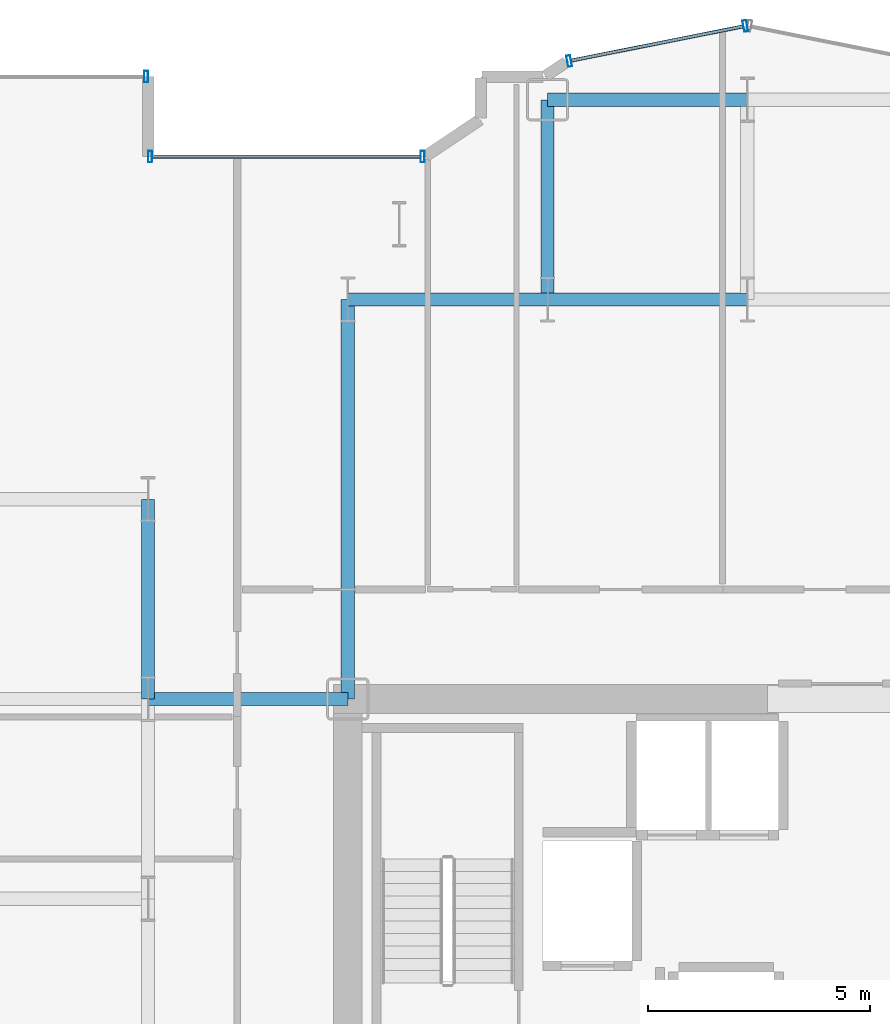
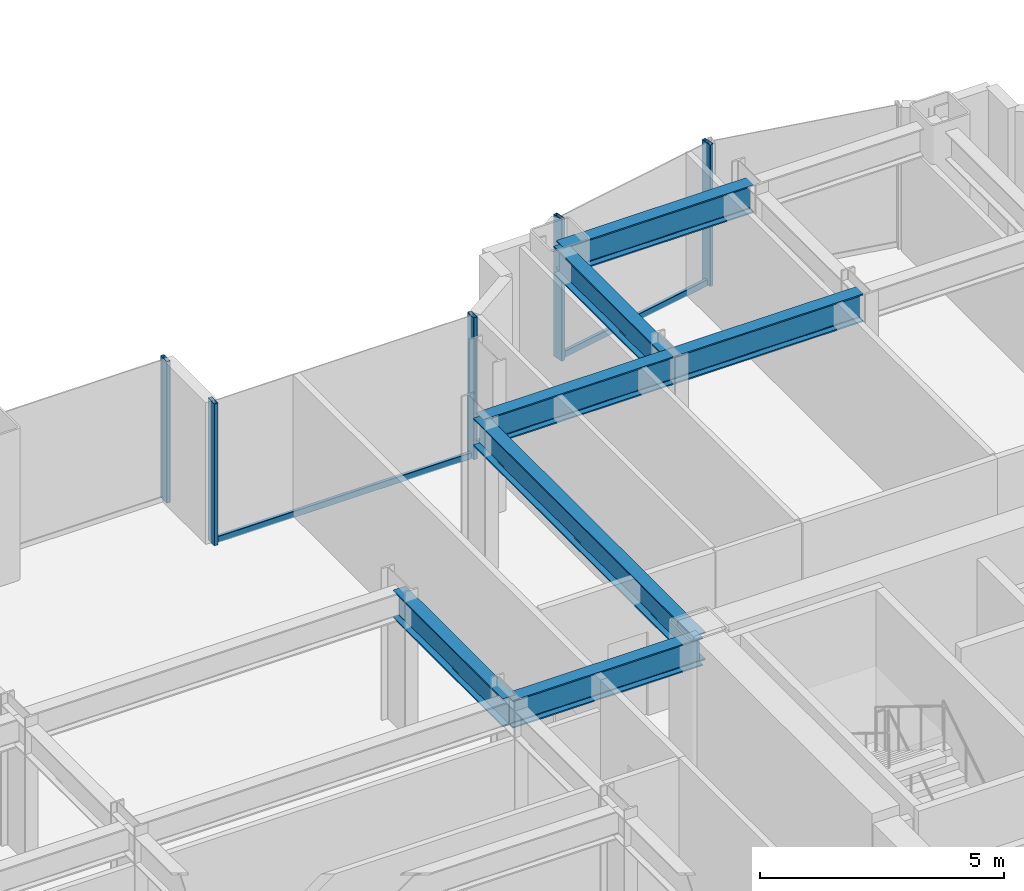
# One storey, part 10 of 25: 7 beams, 7 members, 3 elements without a shape of their own.
"""IFC4 building model written with IfcOpenShell, lengths in metres."""

from ifc_helpers import new_model, si_unit, direction, frame, origin, origin_2d, place, context, subcontext, project, spatial, hollow_rectangle, i_section, extrude, source, transform, mapped, material, layer, layer_set, material_profile, profile_set, type_object, element, aggregate, save


model = new_model("IFC4")

# Units and contexts
model_context = context("Model", 3, precision=1e-05, world=origin(), true_north=direction((0.0, 1.0)))
body_context = subcontext(model_context, "Body", "Model", "MODEL_VIEW")
ifc_project = project(units=[si_unit("LENGTHUNIT", "METRE"), si_unit("AREAUNIT", "SQUARE_METRE"), si_unit("VOLUMEUNIT", "CUBIC_METRE"), si_unit("PLANEANGLEUNIT", "RADIAN"), si_unit("MASSUNIT", "GRAM", prefix="KILO")], contexts=[model_context])

# Site, building, storey
site_placement = place(None, origin())
site = spatial("IfcSite", under=ifc_project, at=site_placement, CompositionType="ELEMENT")
building_placement = place(site_placement, origin())
building = spatial("IfcBuilding", under=site, at=building_placement, Name="Nefas-Gora Pilgrimage Tower", CompositionType="ELEMENT")
storey_placement = place(building_placement, frame((0.0, 0.0, 74.800048828125)))
storey = spatial("IfcBuildingStorey", under=building, at=storey_placement, Name="L17", CompositionType="ELEMENT", Elevation=74.800048828125)

# Beams
ifc_material_1 = material(Name="Steel S355", Category="steel")
ifc_material_profile_1 = material_profile(ifc_material_1, i_section(OverallWidth=0.300048828125, OverallDepth=0.699951171875, WebThickness=0.01708984375, FlangeThickness=0.031982421875, FilletRadius=0.027099609375, at=origin_2d()), Name="HEB 700")
ifc_profile_set_1 = profile_set([ifc_material_profile_1], Name="Steel S355")
beam_type = type_object("IfcBeamType", Name="BM-GIR-HEB700", PredefinedType="BEAM", material=ifc_profile_set_1)
shared_shape_1 = source(origin(), body_context, "Body", "SweptSolid", [
    extrude(i_section(OverallWidth=0.300048828125, OverallDepth=0.699951171875, WebThickness=0.01708984375, FlangeThickness=0.031982421875, FilletRadius=0.027099609375, at=origin_2d()), origin(), (0.0, 0.0, 1.0), 9.0),
])
beam_placement = place(storey_placement, frame((-11.25, 9.0, 3.199951171875), z_axis=(0.0, 1.0, 0.0), x_axis=(-1.0, 0.0, 0.0)))
element("IfcBeam", 1, at=beam_placement, inside=storey, type_object=beam_type, Name="L17 G-02 beam", PredefinedType="BEAM", context=body_context, shape_type="MappedRepresentation", body=[
    mapped(shared_shape_1, transform((0.0, 0.0, 0.0), x_axis=(1.0, 0.0, 0.0), y_axis=(0.0, 1.0, 0.0), z_axis=(0.0, 0.0, 1.0), scale=1.0)),
])
shared_shape_2 = source(origin(), body_context, "Body", "SweptSolid", [
    extrude(i_section(OverallWidth=0.300048828125, OverallDepth=0.699951171875, WebThickness=0.01708984375, FlangeThickness=0.031982421875, FilletRadius=0.027099609375, at=origin_2d()), origin(), (0.0, 0.0, 1.0), 4.5),
])
for number, where, z_axis, x_axis, name in (
    (2, (-15.75, 9.0, 3.199951171875), (0.0, 1.0, 0.0), (-1.0, 0.0, 0.0), "L17 G-02 beam"),
    (3, (-15.75, 9.0, 3.199951171875), (1.0, 0.0, 0.0), (0.0, 1.0, 0.0), "L17 G-02 beam"),
    (4, (-11.25, 18.0, 3.199951171875), (1.0, 0.0, 0.0), (0.0, 1.0, 0.0), "L17 G-02 beam"),
    (5, (-6.75, 18.0, 3.199951171875), (0.0, 1.0, 0.0), (-1.0, 0.0, 0.0), "L17 G-02 beam"),
    (6, (-6.75, 18.0, 3.199951171875), (1.0, 0.0, 0.0), (0.0, 1.0, 0.0), "L17 G-02 beam"),
    (7, (-6.75, 22.5, 3.199951171875), (1.0, 0.0, 0.0), (0.0, 1.0, 0.0), "L17 G-02 beam"),
):
    element("IfcBeam", number, at=place(storey_placement, frame(where, z_axis=z_axis, x_axis=x_axis)), inside=storey, type_object=beam_type, Name=name, PredefinedType="BEAM", context=body_context, shape_type="MappedRepresentation", body=[
        mapped(shared_shape_2, transform((0.0, 0.0, 0.0), x_axis=(1.0, 0.0, 0.0), y_axis=(0.0, 1.0, 0.0), z_axis=(0.0, 0.0, 1.0), scale=1.0)),
    ])

# Curtain wall, members
ifc_material_2 = material(Name="Dark ceramic-fritted solar-control aluminium-glass curtain wall", Category="aluminium")
ifc_layer_1 = layer(ifc_material_2, 0.219970703125)
ifc_layer_set_1 = layer_set([ifc_layer_1], Name="Dark ceramic-fritted solar-control aluminium-glass curtain wall")
curtain_wall_type_1 = type_object("IfcCurtainWallType", Name="CW-SYS-5", PredefinedType="NOTDEFINED", material=ifc_layer_set_1)
curtain_wall_1_placement = place(storey_placement, origin())
curtain_wall_1 = element("IfcCurtainWall", 8, at=curtain_wall_1_placement, inside=storey, type_object=curtain_wall_type_1, Name="L17 Unitised Curtain Wall CW5", PredefinedType="NOTDEFINED")
ifc_material_3 = material(Name="Anodised architectural aluminium", Category="aluminium")
ifc_material_profile_2 = material_profile(ifc_material_3, hollow_rectangle(XDim=0.090087890625, YDim=0.260009765625, WallThickness=0.006103515625, InnerFilletRadius=0.006103515625, OuterFilletRadius=0.011962890625, at=origin_2d()), Name="ALU MULLION 90x260")
ifc_profile_set_2 = profile_set([ifc_material_profile_2], Name="Anodised architectural aluminium")
member_type_1 = type_object("IfcMemberType", Name="CWM-MUL-5", PredefinedType="MULLION", material=ifc_profile_set_2)
shared_shape_3 = source(origin(), body_context, "Body", "SweptSolid", [
    extrude(hollow_rectangle(XDim=0.090087890625, YDim=0.260009765625, WallThickness=0.006103515625, InnerFilletRadius=0.006103515625, OuterFilletRadius=0.011962890625, at=origin_2d()), origin(), (0.0, 0.0, 1.0), 3.550048828125),
])
member_1_placement = place(storey_placement, frame((-2.294189453125, 24.16357421875, 0.0), z_axis=(0.0, 0.0, 1.0), x_axis=(-0.980782896852, -0.195102304554, 0.0)))
member_1 = element("IfcMember", 9, at=member_1_placement, type_object=member_type_1, Name="CW5 Mullion 1", PredefinedType="MULLION", context=body_context, shape_type="MappedRepresentation", body=[
    mapped(shared_shape_3, transform((0.0, 0.0, 0.0), x_axis=(1.0, 0.0, 0.0), y_axis=(0.0, 1.0, 0.0), z_axis=(0.0, 0.0, 1.0), scale=1.0)),
])
member_2_placement = place(storey_placement, frame((-6.26318359375, 23.3740234375, 0.0), z_axis=(0.0, 0.0, 1.0), x_axis=(-0.980782896852, -0.195102304554, 0.0)))
member_2 = element("IfcMember", 10, at=member_2_placement, type_object=member_type_1, Name="CW5 Mullion 2", PredefinedType="MULLION", context=body_context, shape_type="MappedRepresentation", body=[
    mapped(shared_shape_3, transform((0.0, 0.0, 0.0), x_axis=(1.0, 0.0, 0.0), y_axis=(0.0, 1.0, 0.0), z_axis=(0.0, 0.0, 1.0), scale=1.0)),
])

curtain_wall_2_placement = place(storey_placement, origin())
curtain_wall_2 = element("IfcCurtainWall", 11, at=curtain_wall_2_placement, inside=storey, type_object=curtain_wall_type_1, Name="L17 Unitised Curtain Wall CW5", PredefinedType="NOTDEFINED")
member_3_placement = place(storey_placement, frame((-9.56298828125, 21.219970703125, 0.0), z_axis=(0.0, 0.0, 1.0), x_axis=(-1.0, 0.0, 0.0)))
member_3 = element("IfcMember", 12, at=member_3_placement, type_object=member_type_1, Name="CW5 Mullion 1", PredefinedType="MULLION", context=body_context, shape_type="MappedRepresentation", body=[
    mapped(shared_shape_3, transform((0.0, 0.0, 0.0), x_axis=(1.0, 0.0, 0.0), y_axis=(0.0, 1.0, 0.0), z_axis=(0.0, 0.0, 1.0), scale=1.0)),
])
member_4_placement = place(storey_placement, frame((-15.705078125, 21.219970703125, 0.0), z_axis=(0.0, 0.0, 1.0), x_axis=(-1.0, 0.0, 0.0)))
member_4 = element("IfcMember", 13, at=member_4_placement, type_object=member_type_1, Name="CW5 Mullion 2", PredefinedType="MULLION", context=body_context, shape_type="MappedRepresentation", body=[
    mapped(shared_shape_3, transform((0.0, 0.0, 0.0), x_axis=(1.0, 0.0, 0.0), y_axis=(0.0, 1.0, 0.0), z_axis=(0.0, 0.0, 1.0), scale=1.0)),
])
ifc_material_profile_3 = material_profile(ifc_material_3, hollow_rectangle(XDim=0.080078125, YDim=0.159912109375, WallThickness=0.00439453125, InnerFilletRadius=0.00439453125, OuterFilletRadius=0.009033203125, at=origin_2d()), Name="ALU TRANSOM 80x160")
ifc_profile_set_3 = profile_set([ifc_material_profile_3], Name="Anodised architectural aluminium")
member_type_2 = type_object("IfcMemberType", Name="CWM-TRN-5", PredefinedType="USERDEFINED", material=ifc_profile_set_3)
shared_shape_4 = source(origin(), body_context, "Body", "SweptSolid", [
    extrude(hollow_rectangle(XDim=0.080078125, YDim=0.159912109375, WallThickness=0.00439453125, InnerFilletRadius=0.00439453125, OuterFilletRadius=0.009033203125, at=origin_2d()), origin(), (0.0, 0.0, 1.0), 6.052001953125),
])
member_5_placement = place(storey_placement, frame((-9.60791015625, 21.219970703125, 0.050048828125), z_axis=(-1.0, 0.0, 0.0), x_axis=(0.0, -1.0, 0.0)))
member_5 = element("IfcMember", 14, at=member_5_placement, type_object=member_type_2, Name="CW5 Spandrel Transom", ObjectType="TRANSOM", PredefinedType="USERDEFINED", context=body_context, shape_type="MappedRepresentation", body=[
    mapped(shared_shape_4, transform((0.0, 0.0, 0.0), x_axis=(1.0, 0.0, 0.0), y_axis=(0.0, 1.0, 0.0), z_axis=(0.0, 0.0, 1.0), scale=1.0)),
])
aggregate(curtain_wall_2, [member_3, member_4, member_5])

# Curtain wall, member
ifc_layer_2 = layer(ifc_material_2, 0.219970703125)
ifc_layer_set_2 = layer_set([ifc_layer_2], Name="Dark ceramic-fritted solar-control aluminium-glass curtain wall")
curtain_wall_type_2 = type_object("IfcCurtainWallType", Name="CW-SYS-2", PredefinedType="NOTDEFINED", material=ifc_layer_set_2)
curtain_wall_3_placement = place(storey_placement, origin())
curtain_wall_3 = element("IfcCurtainWall", 15, at=curtain_wall_3_placement, inside=storey, type_object=curtain_wall_type_2, Name="L17 Unitised Curtain Wall CW2", PredefinedType="NOTDEFINED")
ifc_material_profile_4 = material_profile(ifc_material_3, hollow_rectangle(XDim=0.090087890625, YDim=0.260009765625, WallThickness=0.006103515625, InnerFilletRadius=0.006103515625, OuterFilletRadius=0.011962890625, at=origin_2d()), Name="ALU MULLION 90x260")
ifc_profile_set_4 = profile_set([ifc_material_profile_4], Name="Anodised architectural aluminium")
member_type_3 = type_object("IfcMemberType", Name="CWM-MUL-2", PredefinedType="MULLION", material=ifc_profile_set_4)
shared_shape_5 = source(origin(), body_context, "Body", "SweptSolid", [
    extrude(hollow_rectangle(XDim=0.090087890625, YDim=0.260009765625, WallThickness=0.006103515625, InnerFilletRadius=0.006103515625, OuterFilletRadius=0.011962890625, at=origin_2d()), origin(), (0.0, 0.0, 1.0), 3.550048828125),
])
member_6_placement = place(storey_placement, frame((-15.794921875, 23.02001953125, 0.0), z_axis=(0.0, 0.0, 1.0), x_axis=(-1.0, 0.0, 0.0)))
member_6 = element("IfcMember", 16, at=member_6_placement, type_object=member_type_3, Name="CW2 Mullion 1", PredefinedType="MULLION", context=body_context, shape_type="MappedRepresentation", body=[
    mapped(shared_shape_5, transform((0.0, 0.0, 0.0), x_axis=(1.0, 0.0, 0.0), y_axis=(0.0, 1.0, 0.0), z_axis=(0.0, 0.0, 1.0), scale=1.0)),
])
aggregate(curtain_wall_3, [member_6])

# Member
shared_shape_6 = source(origin(), body_context, "Body", "SweptSolid", [
    extrude(hollow_rectangle(XDim=0.080078125, YDim=0.159912109375, WallThickness=0.00439453125, InnerFilletRadius=0.00439453125, OuterFilletRadius=0.009033203125, at=origin_2d()), origin(), (0.0, 0.0, 1.0), 3.95654296875),
])
member_7_placement = place(storey_placement, frame((-2.33837890625, 24.15478515625, 0.050048828125), z_axis=(-0.980781880918, -0.195107411605, 0.0), x_axis=(0.195107411605, -0.980781880918, 0.0)))
member_7 = element("IfcMember", 17, at=member_7_placement, type_object=member_type_2, Name="CW5 Spandrel Transom", ObjectType="TRANSOM", PredefinedType="USERDEFINED", context=body_context, shape_type="MappedRepresentation", body=[
    mapped(shared_shape_6, transform((0.0, 0.0, 0.0), x_axis=(1.0, 0.0, 0.0), y_axis=(0.0, 1.0, 0.0), z_axis=(0.0, 0.0, 1.0), scale=1.0)),
])

aggregate(curtain_wall_1, [member_1, member_2, member_7])

save(model, "model.ifc")
